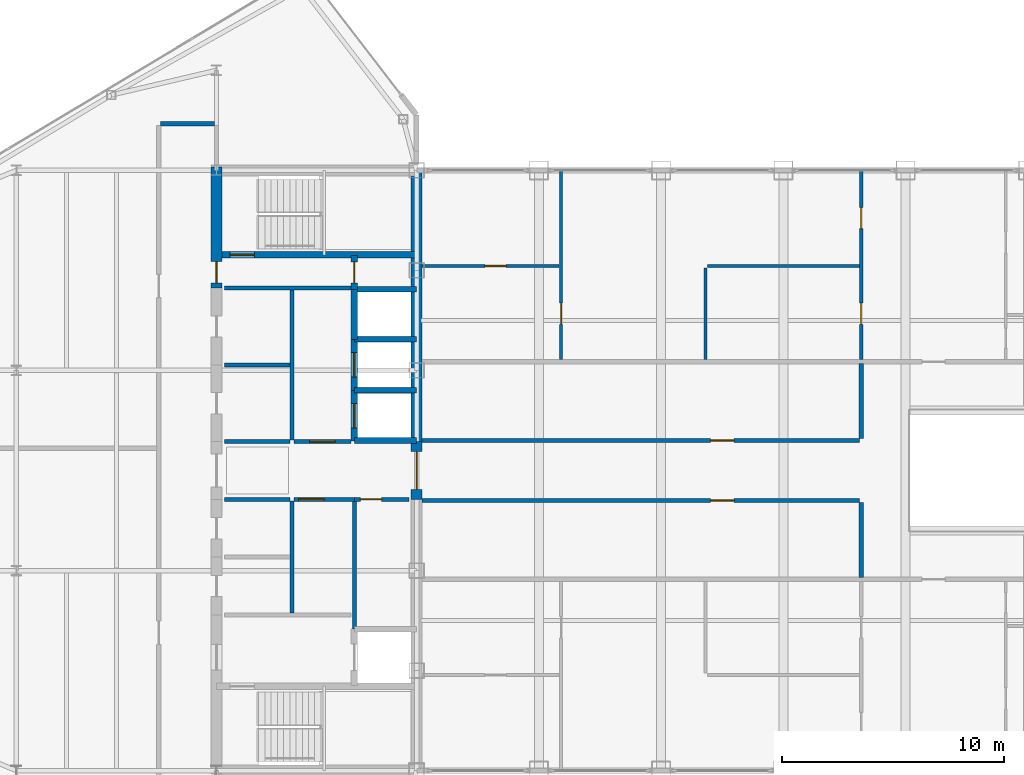
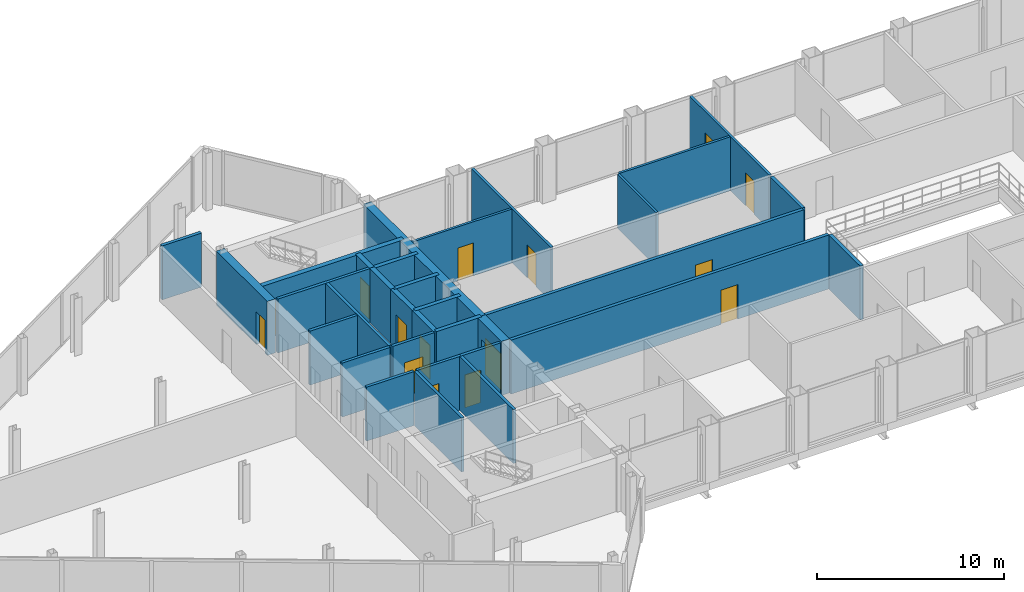
# One storey, part 22 of 29: 32 walls, 15 doors, 15 openings.
"""IFC4 building model written with IfcOpenShell, lengths in metres."""

from ifc_helpers import new_model, si_unit, direction, frame, frame_2d, origin, place, context, subcontext, project, spatial, rectangle, extrude, source, transform, mapped, material, layer, layer_set, type_object, type_shapes, element, fill, save


model = new_model("IFC4")

# Units and contexts
model_context = context("Model", 3, precision=1e-05, world=origin(), true_north=direction((0.0, 1.0)))
body_context = subcontext(model_context, "Body", "Model", "MODEL_VIEW")
ifc_project = project(units=[si_unit("LENGTHUNIT", "METRE"), si_unit("AREAUNIT", "SQUARE_METRE"), si_unit("VOLUMEUNIT", "CUBIC_METRE"), si_unit("PLANEANGLEUNIT", "RADIAN"), si_unit("MASSUNIT", "GRAM", prefix="KILO")], contexts=[model_context])

# Site, building, storey
site_placement = place(None, origin())
site = spatial("IfcSite", under=ifc_project, at=site_placement, CompositionType="ELEMENT")
building_placement = place(site_placement, origin())
building = spatial("IfcBuilding", under=site, at=building_placement, Name="Seokmaru Belvedere", CompositionType="ELEMENT")
storey_placement = place(building_placement, frame((0.0, 0.0, 258.14990234375)))
storey = spatial("IfcBuildingStorey", under=building, at=storey_placement, Name="L68", CompositionType="ELEMENT", Elevation=258.14990234375)

# Wall, opening, door
ifc_material_1 = material(Name="Fire-Rated Gypsum Shaftwall")
ifc_layer_1 = layer(ifc_material_1, 0.14990234375)
ifc_layer_set_1 = layer_set([ifc_layer_1], Name="Fire-Rated Gypsum Shaftwall")
wall_type_1 = type_object("IfcWallType", Name="Apartment Fire-Acoustic Room Partition 150", PredefinedType="PARTITIONING", material=ifc_layer_set_1)
wall_1_placement = place(storey_placement, frame((-27.2451171875, 9.199951171875, 0.0), z_axis=(0.0, 0.0, 1.0), x_axis=(1.0, 0.0, 0.0)))
wall_1 = element("IfcWall", 1, at=wall_1_placement, inside=storey, type_object=wall_type_1, Name="L68 Interior Partition 021", PredefinedType="PARTITIONING", context=body_context, shape_type="SweptSolid", body=[
    extrude(rectangle(XDim=6.16015625, YDim=0.14990234375, at=frame_2d((3.080078125, 0.0))), origin(), (0.0, 0.0, 1.0), 3.530029296875),
])
opening_1_placement = place(wall_1_placement, frame((2.820068359375, 0.0, 0.0)))
opening_1 = element("IfcOpeningElement", 2, at=opening_1_placement, cuts=wall_1, Name="Opening D05", PredefinedType="OPENING", context=body_context, shape_type="SweptSolid", body=[
    extrude(rectangle(XDim=0.949951171875, YDim=2.14990234375, at=frame_2d((0.47509765625, 1.074951171875))), frame((0.0, 0.0849609375, 0.0), z_axis=(0.0, -1.0, 0.0), x_axis=(1.0, 0.0, 0.0)), (0.0, 0.0, 1.0), 0.169921875),
])
ifc_material_2 = material(Name="Engineered White Oak Timber", Category="wood")
door_type_1 = type_object("IfcDoorType", Name="Apartment Interior Fire-Rated Oak Door 950x2150", OperationType="NOTDEFINED", PredefinedType="DOOR", material=ifc_material_2)
shared_shape_1 = source(origin(), body_context, "Body", "SweptSolid", [
    extrude(rectangle(XDim=0.949951171875, YDim=2.14990234375, at=frame_2d((0.47509765625, 1.074951171875))), frame((0.0, 0.02490234375, 0.0), z_axis=(0.0, -1.0, 0.0), x_axis=(1.0, 0.0, 0.0)), (0.0, 0.0, 1.0), 0.050048828125),
])
type_shapes(door_type_1, [shared_shape_1])
door_1_placement = place(opening_1_placement, origin())
door_1 = element("IfcDoor", 3, at=door_1_placement, inside=storey, type_object=door_type_1, Name="L68 Interior Door 035", OperationType="SINGLE_SWING_RIGHT", OverallHeight=2.14990234375, OverallWidth=0.949951171875, PredefinedType="DOOR", context=body_context, shape_type="MappedRepresentation", body=[
    mapped(shared_shape_1, transform((0.0, 0.0, 0.0), scale=1.0)),
])
fill(opening_1, door_1)

# Wall
wall_2_placement = place(storey_placement, frame((-14.4150390625, 9.199951171875, 0.0), z_axis=(0.0, 0.0, 1.0), x_axis=(1.0, 0.0, 0.0)))
element("IfcWall", 4, at=wall_2_placement, inside=storey, type_object=wall_type_1, Name="L68 Interior Partition 022", PredefinedType="PARTITIONING", context=body_context, shape_type="SweptSolid", body=[
    extrude(rectangle(XDim=6.830078125, YDim=0.14990234375, at=frame_2d((3.4150390625, 0.0))), origin(), (0.0, 0.0, 1.0), 3.530029296875),
])

# Wall, opening, door
wall_3_placement = place(storey_placement, frame((-21.0, 4.985107421875, 0.0), z_axis=(0.0, 0.0, 1.0), x_axis=(0.0, 1.0, 0.0)))
wall_3 = element("IfcWall", 5, at=wall_3_placement, inside=storey, type_object=wall_type_1, Name="L68 Interior Partition 030", PredefinedType="PARTITIONING", context=body_context, shape_type="SweptSolid", body=[
    extrude(rectangle(XDim=8.514892578125, YDim=0.14990234375, at=frame_2d((4.25732421875, 0.0))), origin(), (0.0, 0.0, 1.0), 3.530029296875),
])
opening_2_placement = place(wall_3_placement, frame((1.590087890625, 0.0, 0.0)))
opening_2 = element("IfcOpeningElement", 6, at=opening_2_placement, cuts=wall_3, Name="Opening D05", PredefinedType="OPENING", context=body_context, shape_type="SweptSolid", body=[
    extrude(rectangle(XDim=0.949951171875, YDim=2.14990234375, at=frame_2d((0.47509765625, 1.074951171875))), frame((0.0, 0.0849609375, 0.0), z_axis=(0.0, -1.0, 0.0), x_axis=(1.0, 0.0, 0.0)), (0.0, 0.0, 1.0), 0.169921875),
])
door_2_placement = place(opening_2_placement, origin())
door_2 = element("IfcDoor", 7, at=door_2_placement, inside=storey, type_object=door_type_1, Name="L68 Interior Door 034", OperationType="SINGLE_SWING_LEFT", OverallHeight=2.14990234375, OverallWidth=0.949951171875, PredefinedType="DOOR", context=body_context, shape_type="MappedRepresentation", body=[
    mapped(shared_shape_1, transform((0.0, 0.0, 0.0), scale=1.0)),
])
fill(opening_2, door_2)

# Wall
wall_4_placement = place(storey_placement, frame((-14.5, 4.985107421875, 0.0), z_axis=(0.0, 0.0, 1.0), x_axis=(0.0, 1.0, 0.0)))
element("IfcWall", 8, at=wall_4_placement, inside=storey, type_object=wall_type_1, Name="L68 Interior Partition 032", PredefinedType="PARTITIONING", context=body_context, shape_type="SweptSolid", body=[
    extrude(rectangle(XDim=4.1298828125, YDim=0.14990234375, at=frame_2d((2.06494140625, 0.0))), origin(), (0.0, 0.0, 1.0), 3.530029296875),
])

# Wall, openings, doors
wall_5_placement = place(storey_placement, frame((-7.5, 4.985107421875, 0.0), z_axis=(0.0, 0.0, 1.0), x_axis=(0.0, 1.0, 0.0)))
wall_5 = element("IfcWall", 9, at=wall_5_placement, inside=storey, type_object=wall_type_1, Name="L68 Interior Partition 036", PredefinedType="PARTITIONING", context=body_context, shape_type="SweptSolid", body=[
    extrude(rectangle(XDim=8.514892578125, YDim=0.14990234375, at=frame_2d((4.25732421875, 0.0))), origin(), (0.0, 0.0, 1.0), 3.530029296875),
])
opening_3_placement = place(wall_5_placement, frame((1.590087890625, 0.0, 0.0)))
opening_3 = element("IfcOpeningElement", 10, at=opening_3_placement, cuts=wall_5, Name="Opening D05", PredefinedType="OPENING", context=body_context, shape_type="SweptSolid", body=[
    extrude(rectangle(XDim=0.949951171875, YDim=2.14990234375, at=frame_2d((0.47509765625, 1.074951171875))), frame((0.0, 0.0849609375, 0.0), z_axis=(0.0, -1.0, 0.0), x_axis=(1.0, 0.0, 0.0)), (0.0, 0.0, 1.0), 0.169921875),
])
opening_4_placement = place(wall_5_placement, frame((5.889892578125, 0.0, 0.0)))
opening_4 = element("IfcOpeningElement", 11, at=opening_4_placement, cuts=wall_5, Name="Opening D05", PredefinedType="OPENING", context=body_context, shape_type="SweptSolid", body=[
    extrude(rectangle(XDim=0.949951171875, YDim=2.14990234375, at=frame_2d((0.47509765625, 1.074951171875))), frame((0.0, 0.0849609375, 0.0), z_axis=(0.0, -1.0, 0.0), x_axis=(1.0, 0.0, 0.0)), (0.0, 0.0, 1.0), 0.169921875),
])
door_3_placement = place(opening_3_placement, origin())
door_3 = element("IfcDoor", 12, at=door_3_placement, inside=storey, type_object=door_type_1, Name="L68 Interior Door 032", OperationType="SINGLE_SWING_LEFT", OverallHeight=2.14990234375, OverallWidth=0.949951171875, PredefinedType="DOOR", context=body_context, shape_type="MappedRepresentation", body=[
    mapped(shared_shape_1, transform((0.0, 0.0, 0.0), scale=1.0)),
])
fill(opening_3, door_3)
door_4_placement = place(opening_4_placement, origin())
door_4 = element("IfcDoor", 13, at=door_4_placement, inside=storey, type_object=door_type_1, Name="L68 Interior Door 033", OperationType="SINGLE_SWING_RIGHT", OverallHeight=2.14990234375, OverallWidth=0.949951171875, PredefinedType="DOOR", context=body_context, shape_type="MappedRepresentation", body=[
    mapped(shared_shape_1, transform((0.0, 0.0, 0.0), scale=1.0)),
])
fill(opening_4, door_4)

# Walls
ifc_layer_2 = layer(ifc_material_1, 0.179931640625)
ifc_layer_set_2 = layer_set([ifc_layer_2], Name="Fire-Rated Gypsum Shaftwall")
wall_type_2 = type_object("IfcWallType", Name="Core Service Fire Partition 180", PredefinedType="PARTITIONING", material=ifc_layer_set_2)
wall_6_placement = place(storey_placement, frame((-36.14990234375, 8.199951171875, 0.0), z_axis=(0.0, 0.0, 1.0), x_axis=(1.0, 0.0, 0.0)))
element("IfcWall", 14, at=wall_6_placement, inside=storey, type_object=wall_type_2, Name="L68 West Smokeproof Vestibule Partition", PredefinedType="PARTITIONING", context=body_context, shape_type="SweptSolid", body=[
    extrude(rectangle(XDim=5.699951171875, YDim=0.179931640625, at=frame_2d((2.85009765625, 0.0))), origin(), (0.0, 0.0, 1.0), 3.530029296875),
])
wall_7_placement = place(storey_placement, frame((-33.10009765625, -6.419921875, 0.0), z_axis=(0.0, 0.0, 1.0), x_axis=(0.0, 1.0, 0.0)))
element("IfcWall", 15, at=wall_7_placement, inside=storey, type_object=wall_type_2, Name="L68 West South Core Service Back Wall", PredefinedType="PARTITIONING", context=body_context, shape_type="SweptSolid", body=[
    extrude(rectangle(XDim=5.0400390625, YDim=0.179931640625, at=frame_2d((2.52001953125, 0.0))), origin(), (0.0, 0.0, 1.0), 3.530029296875),
])
wall_8_placement = place(storey_placement, frame((-33.10009765625, 1.3798828125, 0.0), z_axis=(0.0, 0.0, 1.0), x_axis=(0.0, 1.0, 0.0)))
element("IfcWall", 16, at=wall_8_placement, inside=storey, type_object=wall_type_2, Name="L68 West North Core Service Back Wall", PredefinedType="PARTITIONING", context=body_context, shape_type="SweptSolid", body=[
    extrude(rectangle(XDim=6.740234375, YDim=0.179931640625, at=frame_2d((3.3701171875, 0.0))), origin(), (0.0, 0.0, 1.0), 3.530029296875),
])

# Wall, opening, door
wall_9_placement = place(storey_placement, frame((-30.300048828125, -1.300048828125, 0.0), z_axis=(0.0, 0.0, 1.0), x_axis=(1.0, 0.0, 0.0)))
wall_9 = element("IfcWall", 17, at=wall_9_placement, inside=storey, type_object=wall_type_2, Name="L68 West South Parcel Vault Foyer Wall", PredefinedType="PARTITIONING", context=body_context, shape_type="SweptSolid", body=[
    extrude(rectangle(XDim=2.449951171875, YDim=0.179931640625, at=frame_2d((1.22509765625, 0.0))), origin(), (0.0, 0.0, 1.0), 3.530029296875),
])
opening_5_placement = place(wall_9_placement, frame((0.27490234375, 0.0, 0.0)))
opening_5 = element("IfcOpeningElement", 18, at=opening_5_placement, cuts=wall_9, Name="Opening D04", PredefinedType="OPENING", context=body_context, shape_type="SweptSolid", body=[
    extrude(rectangle(XDim=0.949951171875, YDim=2.14990234375, at=frame_2d((0.47509765625, 1.074951171875))), frame((0.0, 0.10009765625, 0.0), z_axis=(0.0, -1.0, 0.0), x_axis=(1.0, 0.0, 0.0)), (0.0, 0.0, 1.0), 0.199951171875),
])
ifc_material_3 = material(Name="Fire-Rated Steel Leaf", Category="steel")
door_type_2 = type_object("IfcDoorType", Name="Core Service Room Fire Door 950x2150", OperationType="NOTDEFINED", PredefinedType="DOOR", material=ifc_material_3)
shared_shape_2 = source(origin(), body_context, "Body", "SweptSolid", [
    extrude(rectangle(XDim=0.949951171875, YDim=2.14990234375, at=frame_2d((0.47509765625, 1.074951171875))), frame((0.0, 0.02490234375, 0.0), z_axis=(0.0, -1.0, 0.0), x_axis=(1.0, 0.0, 0.0)), (0.0, 0.0, 1.0), 0.050048828125),
])
type_shapes(door_type_2, [shared_shape_2])
door_5_placement = place(opening_5_placement, origin())
door_5 = element("IfcDoor", 19, at=door_5_placement, inside=storey, type_object=door_type_2, Name="L68 West South Parcel Vault Door", OperationType="SINGLE_SWING_LEFT", OverallHeight=2.14990234375, OverallWidth=0.949951171875, PredefinedType="DOOR", context=body_context, shape_type="MappedRepresentation", body=[
    mapped(shared_shape_2, transform((0.0, 0.0, 0.0), scale=1.0)),
])
fill(opening_5, door_5)

wall_10_placement = place(storey_placement, frame((-33.02001953125, -1.300048828125, 0.0), z_axis=(0.0, 0.0, 1.0), x_axis=(1.0, 0.0, 0.0)))
wall_10 = element("IfcWall", 20, at=wall_10_placement, inside=storey, type_object=wall_type_2, Name="L68 West South Wine Cellar Foyer Wall", PredefinedType="PARTITIONING", context=body_context, shape_type="SweptSolid", body=[
    extrude(rectangle(XDim=2.719970703125, YDim=0.179931640625, at=frame_2d((1.35986328125, 0.0))), origin(), (0.0, 0.0, 1.0), 3.530029296875),
])
opening_6_placement = place(wall_10_placement, frame((0.2099609375, 0.0, 0.0)))
opening_6 = element("IfcOpeningElement", 21, at=opening_6_placement, cuts=wall_10, Name="Opening D02", PredefinedType="OPENING", context=body_context, shape_type="SweptSolid", body=[
    extrude(rectangle(XDim=1.14990234375, YDim=2.199951171875, at=frame_2d((0.574951171875, 1.10009765625))), frame((0.0, 0.10009765625, 0.0), z_axis=(0.0, -1.0, 0.0), x_axis=(1.0, 0.0, 0.0)), (0.0, 0.0, 1.0), 0.199951171875),
])
door_type_3 = type_object("IfcDoorType", Name="Lobby and Vestibule Fire Door 1150x2200", OperationType="NOTDEFINED", PredefinedType="DOOR", material=ifc_material_3)
shared_shape_3 = source(origin(), body_context, "Body", "SweptSolid", [
    extrude(rectangle(XDim=1.14990234375, YDim=2.199951171875, at=frame_2d((0.574951171875, 1.10009765625))), frame((0.0, 0.02490234375, 0.0), z_axis=(0.0, -1.0, 0.0), x_axis=(1.0, 0.0, 0.0)), (0.0, 0.0, 1.0), 0.050048828125),
])
type_shapes(door_type_3, [shared_shape_3])
door_6_placement = place(opening_6_placement, origin())
door_6 = element("IfcDoor", 22, at=door_6_placement, inside=storey, type_object=door_type_3, Name="L68 West South Core Foyer Door", OperationType="SINGLE_SWING_LEFT", OverallHeight=2.199951171875, OverallWidth=1.14990234375, PredefinedType="DOOR", context=body_context, shape_type="MappedRepresentation", body=[
    mapped(shared_shape_3, transform((0.0, 0.0, 0.0), scale=1.0)),
])
fill(opening_6, door_6)

# Wall
wall_11_placement = place(storey_placement, frame((-30.300048828125, -7.1201171875, 0.0), z_axis=(0.0, 0.0, 1.0), x_axis=(0.0, 1.0, 0.0)))
element("IfcWall", 23, at=wall_11_placement, inside=storey, type_object=wall_type_2, Name="L68 West Freed Shaft Vault Partition", PredefinedType="PARTITIONING", context=body_context, shape_type="SweptSolid", body=[
    extrude(rectangle(XDim=5.740234375, YDim=0.179931640625, at=frame_2d((2.8701171875, 0.0))), origin(), (0.0, 0.0, 1.0), 3.530029296875),
])

# Wall, opening, door
wall_12_placement = place(storey_placement, frame((-33.02001953125, 1.300048828125, 0.0), z_axis=(0.0, 0.0, 1.0), x_axis=(1.0, 0.0, 0.0)))
wall_12 = element("IfcWall", 24, at=wall_12_placement, inside=storey, type_object=wall_type_2, Name="L68 West North Lift Lobby Foyer Wall", PredefinedType="PARTITIONING", context=body_context, shape_type="SweptSolid", body=[
    extrude(rectangle(XDim=2.570068359375, YDim=0.179931640625, at=frame_2d((1.28515625, 0.0))), origin(), (0.0, 0.0, 1.0), 3.530029296875),
])
opening_7_placement = place(wall_12_placement, frame((0.7099609375, 0.0, 0.0)))
opening_7 = element("IfcOpeningElement", 25, at=opening_7_placement, cuts=wall_12, Name="Opening D02", PredefinedType="OPENING", context=body_context, shape_type="SweptSolid", body=[
    extrude(rectangle(XDim=1.14990234375, YDim=2.199951171875, at=frame_2d((0.574951171875, 1.10009765625))), frame((0.0, 0.10009765625, 0.0), z_axis=(0.0, -1.0, 0.0), x_axis=(1.0, 0.0, 0.0)), (0.0, 0.0, 1.0), 0.199951171875),
])
door_7_placement = place(opening_7_placement, origin())
door_7 = element("IfcDoor", 26, at=door_7_placement, inside=storey, type_object=door_type_3, Name="L68 West North Lift Lobby Door", OperationType="SINGLE_SWING_RIGHT", OverallHeight=2.199951171875, OverallWidth=1.14990234375, PredefinedType="DOOR", context=body_context, shape_type="MappedRepresentation", body=[
    mapped(shared_shape_3, transform((0.0, 0.0, 0.0), scale=1.0)),
])
fill(opening_7, door_7)

# Walls
for number, where, z_axis, x_axis, name in (
    (27, (-36.14990234375, -1.300048828125, 0.0), (0.0, 0.0, 1.0), (1.0, 0.0, 0.0), "L68 West Foyer Side Wall S"),
    (28, (-36.14990234375, 1.300048828125, 0.0), (0.0, 0.0, 1.0), (1.0, 0.0, 0.0), "L68 West Foyer Side Wall N"),
    (29, (-36.14990234375, 4.75, 0.0), (0.0, 0.0, 1.0), (1.0, 0.0, 0.0), "L68 West Core Service Partition 2"),
):
    element("IfcWall", number, at=place(storey_placement, frame(where, z_axis=z_axis, x_axis=x_axis)), inside=storey, type_object=wall_type_2, Name=name, PredefinedType="PARTITIONING", context=body_context, shape_type="SweptSolid", body=[
        extrude(rectangle(XDim=2.949951171875, YDim=0.179931640625, at=frame_2d((1.47509765625, 0.0))), origin(), (0.0, 0.0, 1.0), 3.530029296875),
    ])
ifc_material_4 = material(Name="Concrete C50 (50 MPa)", Category="concrete")
ifc_layer_3 = layer(ifc_material_4, 0.25)
ifc_layer_set_3 = layer_set([ifc_layer_3], Name="Concrete C50 (50 MPa)")
wall_type_3 = type_object("IfcWallType", Name="Hoistway Transverse Concrete Divider Wall 250", PredefinedType="SHEAR", material=ifc_layer_set_3)
for number, where, z_axis, x_axis, name in (
    (30, (-30.300048828125, 1.35009765625, 0.0), (0.0, 0.0, 1.0), (1.0, 0.0, 0.0), "L68 West Hoistway Divider Core Wall 2"),
    (31, (-30.300048828125, 3.60009765625, 0.0), (0.0, 0.0, 1.0), (1.0, 0.0, 0.0), "L68 West Hoistway Divider Core Wall 3"),
    (32, (-30.300048828125, 5.89990234375, 0.0), (0.0, 0.0, 1.0), (1.0, 0.0, 0.0), "L68 West Hoistway Divider Core Wall 4"),
    (33, (-30.300048828125, 8.14990234375, 0.0), (0.0, 0.0, 1.0), (1.0, 0.0, 0.0), "L68 West Hoistway Divider Core Wall 5"),
):
    element("IfcWall", number, at=place(storey_placement, frame(where, z_axis=z_axis, x_axis=x_axis)), inside=storey, type_object=wall_type_3, Name=name, PredefinedType="SHEAR", context=body_context, shape_type="SweptSolid", body=[
        extrude(rectangle(XDim=2.800048828125, YDim=0.25, at=frame_2d((1.39990234375, 0.0))), origin(), (0.0, 0.0, 1.0), 3.530029296875),
    ])

# Wall, opening, door
ifc_layer_4 = layer(ifc_material_1, 0.199951171875)
ifc_layer_set_4 = layer_set([ifc_layer_4], Name="Fire-Rated Gypsum Shaftwall")
wall_type_4 = type_object("IfcWallType", Name="Inter-Tenancy Fire Compartment Partition 200", PredefinedType="PARTITIONING", material=ifc_layer_set_4)
wall_13_placement = place(storey_placement, frame((-27.2451171875, -1.35009765625, 0.0), z_axis=(0.0, 0.0, 1.0), x_axis=(1.0, 0.0, 0.0)))
wall_13 = element("IfcWall", 34, at=wall_13_placement, inside=storey, type_object=wall_type_4, Name="L68 Interior Partition 011", PredefinedType="PARTITIONING", context=body_context, shape_type="SweptSolid", body=[
    extrude(rectangle(XDim=19.66015625, YDim=0.199951171875, at=frame_2d((9.830078125, 0.0))), origin(), (0.0, 0.0, 1.0), 3.530029296875),
])
opening_8_placement = place(wall_13_placement, frame((12.969970703125, 0.0, 0.0)))
opening_8 = element("IfcOpeningElement", 35, at=opening_8_placement, cuts=wall_13, Name="Opening D03", PredefinedType="OPENING", context=body_context, shape_type="SweptSolid", body=[
    extrude(rectangle(XDim=1.050048828125, YDim=2.25, at=frame_2d((0.52490234375, 1.125))), frame((0.0, 0.10986328125, 0.0), z_axis=(0.0, -1.0, 0.0), x_axis=(1.0, 0.0, 0.0)), (0.0, 0.0, 1.0), 0.219970703125),
])
door_type_4 = type_object("IfcDoorType", Name="Apartment Entrance Fire Door 1050x2250", OperationType="NOTDEFINED", PredefinedType="DOOR", material=ifc_material_3)
shared_shape_4 = source(origin(), body_context, "Body", "SweptSolid", [
    extrude(rectangle(XDim=1.050048828125, YDim=2.25, at=frame_2d((0.52490234375, 1.125))), frame((0.0, 0.02490234375, 0.0), z_axis=(0.0, -1.0, 0.0), x_axis=(1.0, 0.0, 0.0)), (0.0, 0.0, 1.0), 0.050048828125),
])
type_shapes(door_type_4, [shared_shape_4])
door_8_placement = place(opening_8_placement, origin())
door_8 = element("IfcDoor", 36, at=door_8_placement, inside=storey, type_object=door_type_4, Name="L68 Interior Door 014", OperationType="SINGLE_SWING_LEFT", OverallHeight=2.25, OverallWidth=1.050048828125, PredefinedType="DOOR", context=body_context, shape_type="MappedRepresentation", body=[
    mapped(shared_shape_4, transform((0.0, 0.0, 0.0), scale=1.0)),
])
fill(opening_8, door_8)

wall_14_placement = place(storey_placement, frame((-27.2451171875, 1.35009765625, 0.0), z_axis=(0.0, 0.0, 1.0), x_axis=(1.0, 0.0, 0.0)))
wall_14 = element("IfcWall", 37, at=wall_14_placement, inside=storey, type_object=wall_type_4, Name="L68 Interior Partition 016", PredefinedType="PARTITIONING", context=body_context, shape_type="SweptSolid", body=[
    extrude(rectangle(XDim=19.66015625, YDim=0.199951171875, at=frame_2d((9.830078125, 0.0))), origin(), (0.0, 0.0, 1.0), 3.530029296875),
])
opening_9_placement = place(wall_14_placement, frame((12.969970703125, 0.0, 0.0)))
opening_9 = element("IfcOpeningElement", 38, at=opening_9_placement, cuts=wall_14, Name="Opening D03", PredefinedType="OPENING", context=body_context, shape_type="SweptSolid", body=[
    extrude(rectangle(XDim=1.050048828125, YDim=2.25, at=frame_2d((0.52490234375, 1.125))), frame((0.0, 0.10986328125, 0.0), z_axis=(0.0, -1.0, 0.0), x_axis=(1.0, 0.0, 0.0)), (0.0, 0.0, 1.0), 0.219970703125),
])
door_9_placement = place(opening_9_placement, origin())
door_9 = element("IfcDoor", 39, at=door_9_placement, inside=storey, type_object=door_type_4, Name="L68 Interior Door 016", OperationType="SINGLE_SWING_RIGHT", OverallHeight=2.25, OverallWidth=1.050048828125, PredefinedType="DOOR", context=body_context, shape_type="MappedRepresentation", body=[
    mapped(shared_shape_4, transform((0.0, 0.0, 0.0), scale=1.0)),
])
fill(opening_9, door_9)

# Walls
wall_15_placement = place(storey_placement, frame((-39.014892578125, 15.60009765625, 0.0), z_axis=(0.0, 0.0, 1.0), x_axis=(1.0, 0.0, 0.0)))
element("IfcWall", 40, at=wall_15_placement, inside=storey, type_object=wall_type_4, Name="L68 Interior Partition 024", PredefinedType="PARTITIONING", context=body_context, shape_type="SweptSolid", body=[
    extrude(rectangle(XDim=2.429931640625, YDim=0.199951171875, at=frame_2d((1.21484375, 0.0))), origin(), (0.0, 0.0, 1.0), 3.530029296875),
])
for number, where, z_axis, x_axis, name in (
    (41, (-7.5, -4.81494140625, 0.0), (0.0, 0.0, 1.0), (0.0, 1.0, 0.0), "L68 Interior Partition 034"),
    (42, (-7.5, 1.43505859375, 0.0), (0.0, 0.0, 1.0), (0.0, 1.0, 0.0), "L68 Interior Partition 035"),
):
    element("IfcWall", number, at=place(storey_placement, frame(where, z_axis=z_axis, x_axis=x_axis)), inside=storey, type_object=wall_type_4, Name=name, PredefinedType="PARTITIONING", context=body_context, shape_type="SweptSolid", body=[
        extrude(rectangle(XDim=3.3798828125, YDim=0.199951171875, at=frame_2d((1.68994140625, 0.0))), origin(), (0.0, 0.0, 1.0), 3.530029296875),
    ])

# Wall, opening, door
ifc_layer_5 = layer(ifc_material_4, 0.300048828125)
ifc_layer_set_5 = layer_set([ifc_layer_5], Name="Concrete C50 (50 MPa)")
wall_type_5 = type_object("IfcWallType", Name="Internal Core Stair and Hoistway Wall 300", PredefinedType="SHEAR", material=ifc_layer_set_5)
wall_16_placement = place(storey_placement, frame((-36.5, 9.699951171875, 0.0), z_axis=(0.0, 0.0, 1.0), x_axis=(1.0, 0.0, 0.0)))
wall_16 = element("IfcWall", 43, at=wall_16_placement, inside=storey, type_object=wall_type_5, Name="L68 West Stair ST-2 Enclosure Wall", PredefinedType="SHEAR", context=body_context, shape_type="SweptSolid", body=[
    extrude(rectangle(XDim=9.0, YDim=0.300048828125, at=frame_2d((4.5, 0.0))), origin(), (0.0, 0.0, 1.0), 3.530029296875),
])
opening_10_placement = place(wall_16_placement, frame((0.60009765625, 0.0, 0.0)))
opening_10 = element("IfcOpeningElement", 44, at=opening_10_placement, cuts=wall_16, Name="Opening D01", PredefinedType="OPENING", context=body_context, shape_type="SweptSolid", body=[
    extrude(rectangle(XDim=1.10009765625, YDim=2.199951171875, at=frame_2d((0.550048828125, 1.10009765625))), frame((0.0, 0.16015625, 0.0), z_axis=(0.0, -1.0, 0.0), x_axis=(1.0, 0.0, 0.0)), (0.0, 0.0, 1.0), 0.320068359375),
])
door_type_5 = type_object("IfcDoorType", Name="Special Escape Stair Smokeproof Fire Door 1100x2200", OperationType="NOTDEFINED", PredefinedType="DOOR", material=ifc_material_3)
shared_shape_5 = source(origin(), body_context, "Body", "SweptSolid", [
    extrude(rectangle(XDim=1.10009765625, YDim=2.199951171875, at=frame_2d((0.550048828125, 1.10009765625))), frame((0.0, 0.02490234375, 0.0), z_axis=(0.0, -1.0, 0.0), x_axis=(1.0, 0.0, 0.0)), (0.0, 0.0, 1.0), 0.050048828125),
])
type_shapes(door_type_5, [shared_shape_5])
door_10_placement = place(opening_10_placement, origin())
door_10 = element("IfcDoor", 45, at=door_10_placement, inside=storey, type_object=door_type_5, Name="L68 West Special Escape Stair ST-2 Door", OperationType="SINGLE_SWING_RIGHT", OverallHeight=2.199951171875, OverallWidth=1.10009765625, PredefinedType="DOOR", context=body_context, shape_type="MappedRepresentation", body=[
    mapped(shared_shape_5, transform((0.0, 0.0, 0.0), scale=1.0)),
])
fill(opening_10, door_10)

wall_17_placement = place(storey_placement, frame((-30.300048828125, 1.320068359375, 0.0), z_axis=(0.0, 0.0, 1.0), x_axis=(0.0, 1.0, 0.0)))
wall_17 = element("IfcWall", 46, at=wall_17_placement, inside=storey, type_object=wall_type_5, Name="L68 West North Hoistway Wall PH1", PredefinedType="SHEAR", context=body_context, shape_type="SweptSolid", body=[
    extrude(rectangle(XDim=2.280029296875, YDim=0.300048828125, at=frame_2d((1.14013671875, 0.0))), origin(), (0.0, 0.0, 1.0), 3.530029296875),
])
opening_11_placement = place(wall_17_placement, frame((0.590087890625, 0.0, 0.0)))
opening_11 = element("IfcOpeningElement", 47, at=opening_11_placement, cuts=wall_17, Name="Opening LD1", PredefinedType="OPENING", context=body_context, shape_type="SweptSolid", body=[
    extrude(rectangle(XDim=1.10009765625, YDim=2.199951171875, at=frame_2d((0.550048828125, 1.10009765625))), frame((0.0, 0.16015625, 0.0), z_axis=(0.0, -1.0, 0.0), x_axis=(1.0, 0.0, 0.0)), (0.0, 0.0, 1.0), 0.320068359375),
])
ifc_material_5 = material(Name="Stainless Steel 316", Category="steel")
door_type_6 = type_object("IfcDoorType", Name="Passenger Lift Sliding Landing Door 1100x2200", OperationType="DOUBLE_DOOR_SLIDING", PredefinedType="DOOR", material=ifc_material_5)
shared_shape_6 = source(origin(), body_context, "Body", "SweptSolid", [
    extrude(rectangle(XDim=1.10009765625, YDim=2.199951171875, at=frame_2d((0.550048828125, 1.10009765625))), frame((0.0, 0.02490234375, 0.0), z_axis=(0.0, -1.0, 0.0), x_axis=(1.0, 0.0, 0.0)), (0.0, 0.0, 1.0), 0.050048828125),
])
type_shapes(door_type_6, [shared_shape_6])
door_11_placement = place(opening_11_placement, origin())
door_11 = element("IfcDoor", 48, at=door_11_placement, inside=storey, type_object=door_type_6, Name="L68 West High-Rise Lift PH-1 Landing Door", OperationType="DOUBLE_DOOR_SLIDING", OverallHeight=2.199951171875, OverallWidth=1.10009765625, PredefinedType="DOOR", context=body_context, shape_type="MappedRepresentation", body=[
    mapped(shared_shape_6, transform((0.0, 0.0, 0.0), scale=1.0)),
])
fill(opening_11, door_11)

wall_18_placement = place(storey_placement, frame((-30.300048828125, 3.60009765625, 0.0), z_axis=(0.0, 0.0, 1.0), x_axis=(0.0, 1.0, 0.0)))
wall_18 = element("IfcWall", 49, at=wall_18_placement, inside=storey, type_object=wall_type_5, Name="L68 West North Hoistway Wall PH2", PredefinedType="SHEAR", context=body_context, shape_type="SweptSolid", body=[
    extrude(rectangle(XDim=2.2998046875, YDim=0.300048828125, at=frame_2d((1.14990234375, 0.0))), origin(), (0.0, 0.0, 1.0), 3.530029296875),
])
opening_12_placement = place(wall_18_placement, frame((0.60009765625, 0.0, 0.0)))
opening_12 = element("IfcOpeningElement", 50, at=opening_12_placement, cuts=wall_18, Name="Opening LD1", PredefinedType="OPENING", context=body_context, shape_type="SweptSolid", body=[
    extrude(rectangle(XDim=1.10009765625, YDim=2.199951171875, at=frame_2d((0.550048828125, 1.10009765625))), frame((0.0, 0.16015625, 0.0), z_axis=(0.0, -1.0, 0.0), x_axis=(1.0, 0.0, 0.0)), (0.0, 0.0, 1.0), 0.320068359375),
])
door_12_placement = place(opening_12_placement, origin())
door_12 = element("IfcDoor", 51, at=door_12_placement, inside=storey, type_object=door_type_6, Name="L68 West High-Rise Lift PH-2 Landing Door", OperationType="DOUBLE_DOOR_SLIDING", OverallHeight=2.199951171875, OverallWidth=1.10009765625, PredefinedType="DOOR", context=body_context, shape_type="MappedRepresentation", body=[
    mapped(shared_shape_6, transform((0.0, 0.0, 0.0), scale=1.0)),
])
fill(opening_12, door_12)

# Wall
wall_19_placement = place(storey_placement, frame((-30.300048828125, 5.89990234375, 0.0), z_axis=(0.0, 0.0, 1.0), x_axis=(0.0, 1.0, 0.0)))
element("IfcWall", 52, at=wall_19_placement, inside=storey, type_object=wall_type_5, Name="L68 West North Hoistway Wall OBS", PredefinedType="SHEAR", context=body_context, shape_type="SweptSolid", body=[
    extrude(rectangle(XDim=2.25, YDim=0.300048828125, at=frame_2d((1.125, 0.0))), origin(), (0.0, 0.0, 1.0), 3.530029296875),
])

# Wall, opening, door
wall_20_placement = place(storey_placement, frame((-30.300048828125, 8.14990234375, 0.0), z_axis=(0.0, 0.0, 1.0), x_axis=(0.0, 1.0, 0.0)))
wall_20 = element("IfcWall", 53, at=wall_20_placement, inside=storey, type_object=wall_type_5, Name="L68 West Electrical Riser Front Wall", PredefinedType="SHEAR", context=body_context, shape_type="SweptSolid", body=[
    extrude(rectangle(XDim=1.530029296875, YDim=0.300048828125, at=frame_2d((0.76513671875, 0.0))), origin(), (0.0, 0.0, 1.0), 3.530029296875),
])
opening_13_placement = place(wall_20_placement, frame((0.284912109375, 0.0, 0.0)))
opening_13 = element("IfcOpeningElement", 54, at=opening_13_placement, cuts=wall_20, Name="Opening D04", PredefinedType="OPENING", context=body_context, shape_type="SweptSolid", body=[
    extrude(rectangle(XDim=0.949951171875, YDim=2.14990234375, at=frame_2d((0.47509765625, 1.074951171875))), frame((0.0, 0.16015625, 0.0), z_axis=(0.0, -1.0, 0.0), x_axis=(1.0, 0.0, 0.0)), (0.0, 0.0, 1.0), 0.320068359375),
])
door_13_placement = place(opening_13_placement, origin())
door_13 = element("IfcDoor", 55, at=door_13_placement, inside=storey, type_object=door_type_2, Name="L68 West Electrical Riser Access Door", OperationType="SINGLE_SWING_LEFT", OverallHeight=2.14990234375, OverallWidth=0.949951171875, PredefinedType="DOOR", context=body_context, shape_type="MappedRepresentation", body=[
    mapped(shared_shape_2, transform((0.0, 0.0, 0.0), scale=1.0)),
])
fill(opening_13, door_13)

# Wall
ifc_layer_6 = layer(ifc_material_4, 0.5)
ifc_layer_set_6 = layer_set([ifc_layer_6], Name="Concrete C50 (50 MPa)")
wall_type_6 = type_object("IfcWallType", Name="Upper Tower Reinforced Concrete Core Wall 500", PredefinedType="SHEAR", material=ifc_layer_set_6)
wall_21_placement = place(storey_placement, frame((-27.5, 1.300048828125, 0.0), z_axis=(0.0, 0.0, 1.0), x_axis=(0.0, 1.0, 0.0)))
element("IfcWall", 56, at=wall_21_placement, inside=storey, type_object=wall_type_6, Name="L68 West Portal Spine Core Wall North", PredefinedType="SHEAR", context=body_context, shape_type="SweptSolid", body=[
    extrude(rectangle(XDim=12.199951171875, YDim=0.5, at=frame_2d((6.10009765625, 0.0))), origin(), (0.0, 0.0, 1.0), 3.530029296875),
])

# Wall, opening, door
wall_22_placement = place(storey_placement, frame((-27.5, -1.300048828125, 0.0), z_axis=(0.0, 0.0, 1.0), x_axis=(0.0, 1.0, 0.0)))
wall_22 = element("IfcWall", 57, at=wall_22_placement, inside=storey, type_object=wall_type_6, Name="L68 West Portal Spine Core Wall Center", PredefinedType="SHEAR", context=body_context, shape_type="SweptSolid", body=[
    extrude(rectangle(XDim=2.60009765625, YDim=0.5, at=frame_2d((1.300048828125, 0.0))), origin(), (0.0, 0.0, 1.0), 3.530029296875),
])
opening_14_placement = place(wall_22_placement, frame((0.449951171875, 0.0, 0.0)))
opening_14 = element("IfcOpeningElement", 58, at=opening_14_placement, cuts=wall_22, Name="Opening D09", PredefinedType="OPENING", context=body_context, shape_type="SweptSolid", body=[
    extrude(rectangle(XDim=1.699951171875, YDim=2.35009765625, at=frame_2d((0.85009765625, 1.175048828125))), frame((0.0, 0.260009765625, 0.0), z_axis=(0.0, -1.0, 0.0), x_axis=(1.0, 0.0, 0.0)), (0.0, 0.0, 1.0), 0.52001953125),
])
door_type_7 = type_object("IfcDoorType", Name="Sky-Gate Bridge Inter-Tower Fire Door 1700x2350", OperationType="DOUBLE_SWING_LEFT", PredefinedType="DOOR", material=ifc_material_3)
shared_shape_7 = source(origin(), body_context, "Body", "SweptSolid", [
    extrude(rectangle(XDim=1.699951171875, YDim=2.35009765625, at=frame_2d((0.85009765625, 1.175048828125))), frame((0.0, 0.02490234375, 0.0), z_axis=(0.0, -1.0, 0.0), x_axis=(1.0, 0.0, 0.0)), (0.0, 0.0, 1.0), 0.050048828125),
])
type_shapes(door_type_7, [shared_shape_7])
door_14_placement = place(opening_14_placement, origin())
door_14 = element("IfcDoor", 59, at=door_14_placement, inside=storey, type_object=door_type_7, Name="L68 West Inter-Tower Fire Door", OperationType="DOUBLE_SWING_LEFT", OverallHeight=2.35009765625, OverallWidth=1.699951171875, PredefinedType="DOOR", context=body_context, shape_type="MappedRepresentation", body=[
    mapped(shared_shape_7, transform((0.0, 0.0, 0.0), scale=1.0)),
])
fill(opening_14, door_14)

wall_23_placement = place(storey_placement, frame((-36.5, 8.199951171875, 0.0), z_axis=(0.0, 0.0, 1.0), x_axis=(0.0, 1.0, 0.0)))
wall_23 = element("IfcWall", 60, at=wall_23_placement, inside=storey, type_object=wall_type_6, Name="L68 West West Core Wall VST", PredefinedType="SHEAR", context=body_context, shape_type="SweptSolid", body=[
    extrude(rectangle(XDim=5.449951171875, YDim=0.5, at=frame_2d((2.72509765625, 0.0))), origin(), (0.0, 0.0, 1.0), 3.530029296875),
])
opening_15_placement = place(wall_23_placement, frame((0.2451171875, 0.0, 0.0)))
opening_15 = element("IfcOpeningElement", 61, at=opening_15_placement, cuts=wall_23, Name="Opening D04", PredefinedType="OPENING", context=body_context, shape_type="SweptSolid", body=[
    extrude(rectangle(XDim=0.949951171875, YDim=2.14990234375, at=frame_2d((0.47509765625, 1.074951171875))), frame((0.0, 0.260009765625, 0.0), z_axis=(0.0, -1.0, 0.0), x_axis=(1.0, 0.0, 0.0)), (0.0, 0.0, 1.0), 0.52001953125),
])
door_15_placement = place(opening_15_placement, frame((0.949951171875, 0.0, 0.0), z_axis=(0.0, 0.0, 1.0), x_axis=(-1.0, 0.0, 0.0)))
door_15 = element("IfcDoor", 62, at=door_15_placement, inside=storey, type_object=door_type_2, Name="L68 West Smokeproof Vestibule Door", OperationType="SINGLE_SWING_RIGHT", OverallHeight=2.14990234375, OverallWidth=0.949951171875, PredefinedType="DOOR", context=body_context, shape_type="MappedRepresentation", body=[
    mapped(shared_shape_2, transform((0.0, 0.0, 0.0), scale=1.0)),
])
fill(opening_15, door_15)

save(model, "model.ifc")
